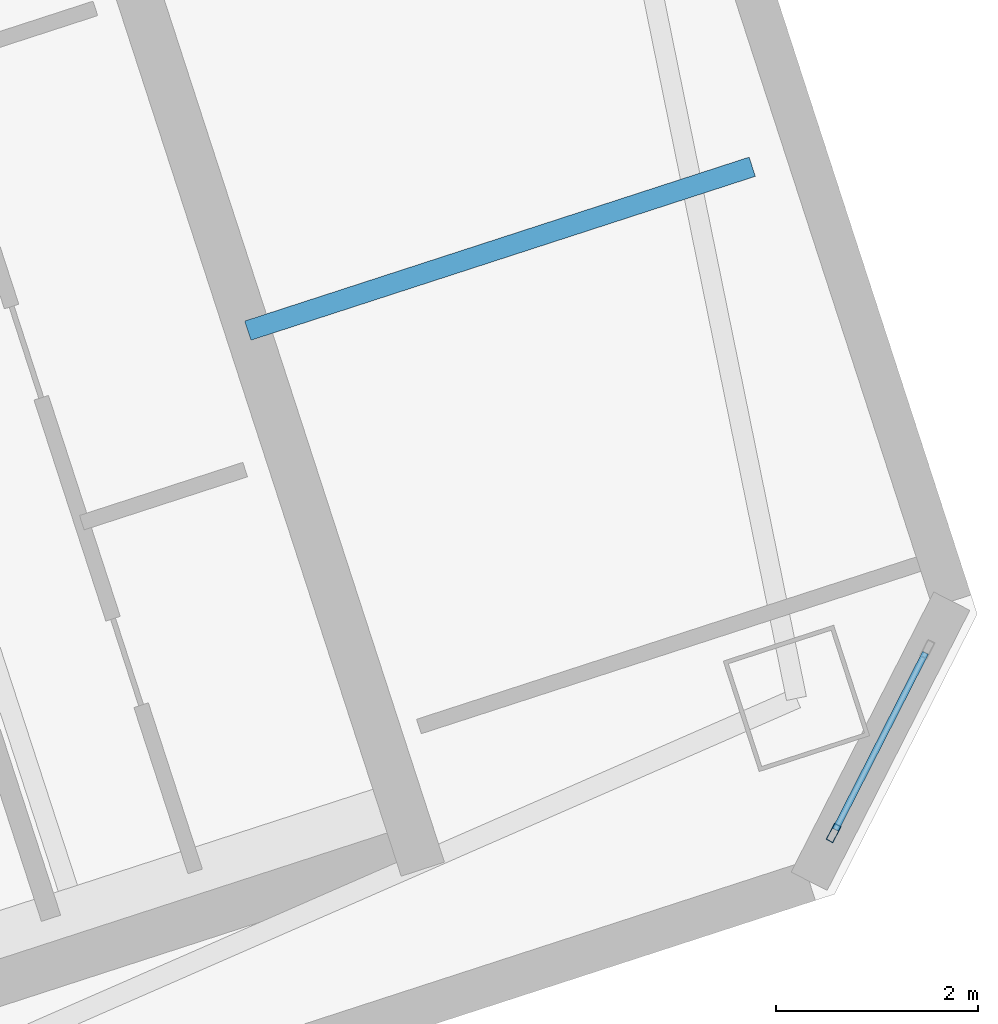
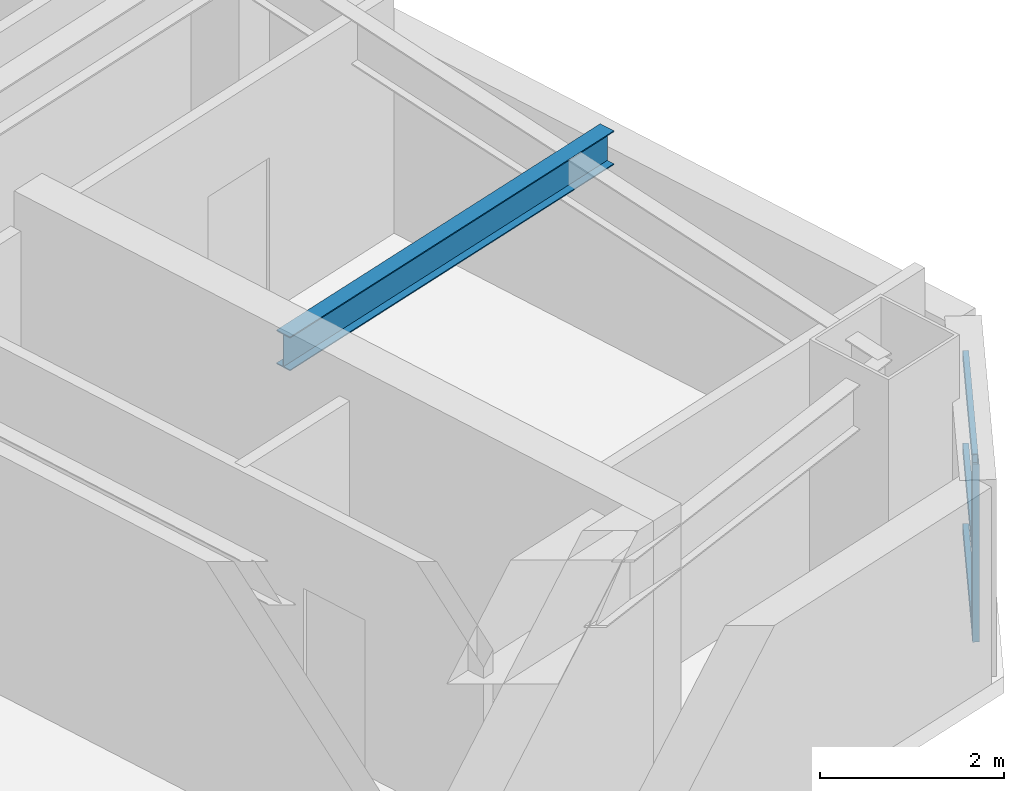
# One storey, part 12 of 25: 4 members, 1 beam, 1 element without a shape of its own.
"""IFC4 building model written with IfcOpenShell, lengths in metres."""

import ifcopenshell
import ifcopenshell.guid

model = None  # the IFC model being written
_history = None  # IfcOwnerHistory: only IFC2X3 demands one
_inside = {}  # id of a spatial element -> (the spatial element, [elements in it])
_under = {}  # id of a project, library or spatial element -> (it, [spatial elements below it])
_declared = {}  # id of a project -> (the project, [libraries it declares])
_typed = {}  # id of a type object -> (the type object, [elements of that type])
_made_of = {}  # id of a material, layer set ... -> (it, [elements and type objects made of it])


def new_model(schema):
    """Start an empty IFC model of exactly this schema.

    Asked for "IFC4X3", IfcOpenShell would pick the latest addendum, in which some entities
    have other attributes; the version numbers below select the first issue.
    IFC2X3 requires an IfcOwnerHistory on every rooted entity: one is made here for all.
    """
    global model, _history
    if schema == "IFC4X3":
        model = ifcopenshell.file(schema_version=(4, 3, 0, 0))
    else:
        model = ifcopenshell.file(schema=schema)
    _inside.clear()
    _under.clear()
    _declared.clear()
    _typed.clear()
    _made_of.clear()
    _history = None
    if model.schema == "IFC2X3":
        org = make("IfcOrganization", Name="unknown")
        user = make(
            "IfcPersonAndOrganization",
            ThePerson=make("IfcPerson", FamilyName="unknown"),
            TheOrganization=org,
        )
        app = make(
            "IfcApplication",
            ApplicationDeveloper=org,
            Version="unknown",
            ApplicationFullName="unknown",
            ApplicationIdentifier="unknown",
        )
        _history = make(
            "IfcOwnerHistory",
            OwningUser=user,
            OwningApplication=app,
            ChangeAction="ADDED",
            CreationDate=0,
        )
    return model


def make(cls, **values):
    """One entity of the class cls with the attributes given. An attribute that is None is left unset."""
    return model.create_entity(
        cls, **{name: value for name, value in values.items() if value is not None}
    )


def rooted(cls, **values):
    """An entity with a GlobalId (a new one), such as an element, a storey or a relation."""
    return make(cls, GlobalId=ifcopenshell.guid.new(), OwnerHistory=_history, **values)


def si_unit(unit_type, name, prefix=None):
    """IfcSIUnit, for example si_unit("LENGTHUNIT", "METRE", prefix="MILLI")."""
    return make("IfcSIUnit", UnitType=unit_type, Prefix=prefix, Name=name)


def assignment(units):
    """IfcUnitAssignment: the units of a project."""
    return None if units is None else make("IfcUnitAssignment", Units=units)


def point(xyz):
    """IfcCartesianPoint."""
    return None if xyz is None else make("IfcCartesianPoint", Coordinates=xyz)


def direction(xyz):
    """IfcDirection."""
    return None if xyz is None else make("IfcDirection", DirectionRatios=xyz)


def frame(location, z_axis=None, x_axis=None):
    """IfcAxis2Placement3D, a coordinate frame: its origin and axes. An axis left out is left unset."""
    return make(
        "IfcAxis2Placement3D",
        Location=point(location),
        Axis=direction(z_axis),
        RefDirection=direction(x_axis),
    )


def frame_2d(location, x_axis=None):
    """IfcAxis2Placement2D, a coordinate frame in the plane: its origin and x axis."""
    return make(
        "IfcAxis2Placement2D", Location=point(location), RefDirection=direction(x_axis)
    )


def origin():
    """The frame at (0, 0, 0) with its axes left unset."""
    return frame((0.0, 0.0, 0.0))


def origin_2d():
    """The frame at (0, 0) in the plane with its x axis left unset."""
    return frame_2d((0.0, 0.0))


def place(relative_to, where):
    """IfcLocalPlacement: puts the frame where relative to a parent placement (None: the world)."""
    return make(
        "IfcLocalPlacement", PlacementRelTo=relative_to, RelativePlacement=where
    )


def context(
    kind, dimensions, precision=None, world=None, true_north=None, identifier=None
):
    """IfcGeometricRepresentationContext, for example the 3D "Model" context."""
    return make(
        "IfcGeometricRepresentationContext",
        ContextIdentifier=identifier,
        ContextType=kind,
        CoordinateSpaceDimension=dimensions,
        Precision=precision,
        WorldCoordinateSystem=world,
        TrueNorth=true_north,
    )


def subcontext(parent, identifier, kind, view, scale=None):
    """IfcGeometricRepresentationSubContext, for example "Body" below "Model"."""
    return make(
        "IfcGeometricRepresentationSubContext",
        ContextIdentifier=identifier,
        ContextType=kind,
        ParentContext=parent,
        TargetScale=scale,
        TargetView=view,
    )


def project(units=None, contexts=None):
    """IfcProject with its units and contexts."""
    return rooted(
        "IfcProject",
        Name="project",
        RepresentationContexts=contexts,
        UnitsInContext=assignment(units),
    )


def spatial(cls, under=None, at=None, **own):
    """A site, building, storey or space (cls), placed at a placement, below another one or the project."""
    s = rooted(cls, ObjectPlacement=at, **own)
    if under is not None:
        _under.setdefault(under.id(), (under, []))[1].append(s)
    return s


def profile(cls, at=None, kind="AREA", **sizes):
    """A parametric profile (cls). Its sizes go by their IFC names, for example OverallWidth=200.0."""
    return make(cls, ProfileType=kind, Position=at, **sizes)


def hollow_rectangle(**sizes):
    """IfcRectangleHollowProfileDef."""
    return profile("IfcRectangleHollowProfileDef", **sizes)


def i_section(**sizes):
    """IfcIShapeProfileDef."""
    return profile("IfcIShapeProfileDef", **sizes)


def extrude(swept, where, along, depth):
    """IfcExtrudedAreaSolid: the profile swept, set in the frame where, extruded along a direction by depth."""
    return make(
        "IfcExtrudedAreaSolid",
        SweptArea=swept,
        Position=where,
        ExtrudedDirection=direction(along),
        Depth=depth,
    )


def shape(context_of_items, identifier, shape_type, items):
    """IfcShapeRepresentation: the items that make up one representation, for example the "Body"."""
    return make(
        "IfcShapeRepresentation",
        ContextOfItems=context_of_items,
        RepresentationIdentifier=identifier,
        RepresentationType=shape_type,
        Items=items,
    )


def material(Name=None, Category=None):
    """IfcMaterial."""
    return make("IfcMaterial", Name=Name, Category=Category)


def layer(
    of_material, thickness, ventilated=None, Name=None, Category=None, Priority=None
):
    """IfcMaterialLayer: one layer of a wall or slab, of a material (None: an air gap)."""
    return make(
        "IfcMaterialLayer",
        Material=of_material,
        LayerThickness=thickness,
        IsVentilated=ventilated,
        Name=Name,
        Category=Category,
        Priority=Priority,
    )


def layer_set(layers, Name=None):
    """IfcMaterialLayerSet."""
    return make("IfcMaterialLayerSet", MaterialLayers=layers, LayerSetName=Name)


def material_profile(
    of_material, cross_section, Name=None, Category=None, Priority=None
):
    """IfcMaterialProfile: a cross section and its material."""
    return make(
        "IfcMaterialProfile",
        Name=Name,
        Material=of_material,
        Profile=cross_section,
        Priority=Priority,
        Category=Category,
    )


def profile_set(profiles, Name=None, composite=None):
    """IfcMaterialProfileSet."""
    return make(
        "IfcMaterialProfileSet",
        Name=Name,
        MaterialProfiles=profiles,
        CompositeProfile=composite,
    )


def made_of(thing, what):
    """Note that an element or type object is made of a material, layer set ...; save() writes the relation."""
    if what is not None:
        _made_of.setdefault(what.id(), (what, []))[1].append(thing)
    return thing


def type_object(cls, material=None, **own):
    """A type object (cls), such as IfcWallType, which elements share."""
    return made_of(rooted(cls, **own), material)


def element(
    cls,
    number,
    at=None,
    inside=None,
    cuts=None,
    type_object=None,
    material=None,
    context=None,
    identifier="Body",
    shape_type=None,
    held_by="IfcProductDefinitionShape",
    body=None,
    shapes=None,
    **own,
):
    """One element of the class cls, such as IfcWall. Its Tag is "e" and its number.

    at: its placement. inside: the storey or other place that contains it. cuts: it is an
    opening in that element (IfcRelVoidsElement). A single representation is given by context,
    identifier, shape_type and body (its items); several are given by shapes. held_by: the class
    of the entity that holds the representations. save() writes the other relations.
    """
    e = rooted(cls, Tag="e%d" % number, ObjectPlacement=at, **own)
    if body is not None:
        shapes = [shape(context, identifier, shape_type, body)]
    if shapes is not None:
        e.Representation = make(held_by, Representations=shapes)
    if inside is not None:
        _inside.setdefault(inside.id(), (inside, []))[1].append(e)
    if cuts is not None:
        rooted(
            "IfcRelVoidsElement", RelatingBuildingElement=cuts, RelatedOpeningElement=e
        )
    if type_object is not None:
        _typed.setdefault(type_object.id(), (type_object, []))[1].append(e)
    return made_of(e, material)


def aggregate(whole, parts):
    """IfcRelAggregates: a whole, such as a stair, and the parts it consists of."""
    return rooted("IfcRelAggregates", RelatingObject=whole, RelatedObjects=parts)


def save(model, path):
    """Write the relations noted so far, then the file.

    IfcRelAggregates (storeys below a building ...), IfcRelContainedInSpatialStructure (elements
    in a storey), IfcRelDefinesByType, IfcRelAssociatesMaterial and IfcRelDeclares: one each for
    every whole, place, type object, material and project.
    """
    for whole, parts in _under.values():
        aggregate(whole, parts)
    for where, things in _inside.values():
        rooted(
            "IfcRelContainedInSpatialStructure",
            RelatedElements=things,
            RelatingStructure=where,
        )
    for kind, things in _typed.values():
        rooted("IfcRelDefinesByType", RelatedObjects=things, RelatingType=kind)
    for what, things in _made_of.values():
        rooted("IfcRelAssociatesMaterial", RelatedObjects=things, RelatingMaterial=what)
    for by, libraries in _declared.values():
        rooted("IfcRelDeclares", RelatingContext=by, RelatedDefinitions=libraries)
    model.write(path)


model = new_model("IFC4")

# Units and contexts
model_context = context("Model", 3, precision=1e-05, world=origin(), true_north=direction((0.0, 1.0)))
body_context = subcontext(model_context, "Body", "Model", "MODEL_VIEW")
ifc_project = project(units=[si_unit("LENGTHUNIT", "METRE"), si_unit("AREAUNIT", "SQUARE_METRE"), si_unit("VOLUMEUNIT", "CUBIC_METRE"), si_unit("PLANEANGLEUNIT", "RADIAN"), si_unit("MASSUNIT", "GRAM", prefix="KILO")], contexts=[model_context])

# Site, building, storey
site_placement = place(None, origin())
site = spatial("IfcSite", under=ifc_project, at=site_placement, CompositionType="ELEMENT")
building_placement = place(site_placement, origin())
building = spatial("IfcBuilding", under=site, at=building_placement, Name="Qiaolan Cultural Towers", CompositionType="ELEMENT")
storey_placement = place(building_placement, frame((0.0, 0.0, 202.39990234375)))
storey = spatial("IfcBuildingStorey", under=building, at=storey_placement, Name="L54", CompositionType="ELEMENT", Elevation=202.39990234375)

# Beam
ifc_material_1 = material(Name="Steel Q355B", Category="steel")
ifc_material_profile_1 = material_profile(ifc_material_1, i_section(OverallWidth=0.199951171875, OverallDepth=0.449951171875, WebThickness=0.009033203125, FlangeThickness=0.013916015625, at=origin_2d()), Name="HN450x200x9x14")
ifc_profile_set_1 = profile_set([ifc_material_profile_1], Name="Steel Q355B")
beam_type = type_object("IfcBeamType", Name="BM-LNT-HN450x200x9x14", PredefinedType="LINTEL", material=ifc_profile_set_1)
beam_placement = place(storey_placement, frame((102.279296875, 22.74365234375, 2.965087890625), z_axis=(0.951060037126, 0.309006158161, 0.0), x_axis=(-0.309006158161, 0.951060037126, 0.0)))
element("IfcBeam", 1, at=beam_placement, inside=storey, type_object=beam_type, Name="L54 T2 Core Flank Tie Lintel ES", PredefinedType="LINTEL", context=body_context, shape_type="SweptSolid", body=[
    extrude(i_section(OverallWidth=0.199951171875, OverallDepth=0.449951171875, WebThickness=0.009033203125, FlangeThickness=0.013916015625, at=origin_2d()), origin(), (0.0, 0.0, 1.0), 5.25),
])

# Curtain wall, members
ifc_material_2 = material(Name="Unitized Anodized Aluminium Curtain Wall System", Category="aluminium")
ifc_layer = layer(ifc_material_2, 0.199951171875)
ifc_layer_set = layer_set([ifc_layer], Name="Unitized Anodized Aluminium Curtain Wall System")
curtain_wall_type = type_object("IfcCurtainWallType", Name="CWS-05", PredefinedType="NOTDEFINED", material=ifc_layer_set)
curtain_wall_placement = place(storey_placement, origin())
curtain_wall = element("IfcCurtainWall", 2, at=curtain_wall_placement, inside=storey, type_object=curtain_wall_type, Name="L54 T2 Chamfer Wind-Corner Feature Curtain Wall 2", PredefinedType="NOTDEFINED")
ifc_material_3 = material(Name="Extruded Aluminium 6063-T6", Category="aluminium")
ifc_material_profile_2 = material_profile(ifc_material_3, hollow_rectangle(XDim=0.074951171875, YDim=0.179931640625, WallThickness=0.00390625, at=origin_2d()), Name="CWM-180x75x4")
ifc_profile_set_2 = profile_set([ifc_material_profile_2], Name="Extruded Aluminium 6063-T6")
member_type_1 = type_object("IfcMemberType", Name="CWS-05-MUL", PredefinedType="MULLION", material=ifc_profile_set_2)
member_1_placement = place(storey_placement, frame((108.078369140625, 17.770751953125, 0.150146484375), z_axis=(0.0, 0.0, 1.0), x_axis=(0.89100655078, -0.45399044755, 0.0)))
member_1 = element("IfcMember", 3, at=member_1_placement, type_object=member_type_1, Name="CW-5 mullion 2", PredefinedType="MULLION", context=body_context, shape_type="SweptSolid", body=[
    extrude(hollow_rectangle(XDim=0.074951171875, YDim=0.179931640625, WallThickness=0.00390625, at=origin_2d()), origin(), (0.0, 0.0, 1.0), 2.35986328125),
])
ifc_material_4 = material(Name="Extruded Aluminium 6063-T6", Category="aluminium")
ifc_material_profile_3 = material_profile(ifc_material_4, hollow_rectangle(XDim=0.06494140625, YDim=0.14990234375, WallThickness=0.00390625, at=origin_2d()), Name="CWT-150x65x4")
ifc_profile_set_3 = profile_set([ifc_material_profile_3], Name="Extruded Aluminium 6063-T6")
member_type_2 = type_object("IfcMemberType", Name="CWS-05-TRN", PredefinedType="USERDEFINED", material=ifc_profile_set_3)
member_2_placement = place(storey_placement, frame((108.98779296875, 19.5556640625, 0.1826171875), z_axis=(-0.453957410805, -0.891023383069, 0.0), x_axis=(0.891023383069, -0.453957410805, 0.0)))
member_2 = element("IfcMember", 4, at=member_2_placement, type_object=member_type_2, Name="CW-5 transom 1.1", ObjectType="TRANSOM", PredefinedType="USERDEFINED", context=body_context, shape_type="SweptSolid", body=[
    extrude(hollow_rectangle(XDim=0.06494140625, YDim=0.14990234375, WallThickness=0.00390625, at=origin_2d()), origin(), (0.0, 0.0, 1.0), 1.965576171875),
])
member_3_placement = place(storey_placement, frame((108.98779296875, 19.5556640625, 1.25), z_axis=(-0.453957410805, -0.891023383069, 0.0), x_axis=(0.891023383069, -0.453957410805, 0.0)))
member_3 = element("IfcMember", 5, at=member_3_placement, type_object=member_type_2, Name="CW-5 transom 1.2", ObjectType="TRANSOM", PredefinedType="USERDEFINED", context=body_context, shape_type="SweptSolid", body=[
    extrude(hollow_rectangle(XDim=0.06494140625, YDim=0.14990234375, WallThickness=0.00390625, at=origin_2d()), origin(), (0.0, 0.0, 1.0), 1.965576171875),
])
member_4_placement = place(storey_placement, frame((108.98779296875, 19.5556640625, 2.4775390625), z_axis=(-0.453957410805, -0.891023383069, 0.0), x_axis=(0.891023383069, -0.453957410805, 0.0)))
member_4 = element("IfcMember", 6, at=member_4_placement, type_object=member_type_2, Name="CW-5 transom 1.3", ObjectType="TRANSOM", PredefinedType="USERDEFINED", context=body_context, shape_type="SweptSolid", body=[
    extrude(hollow_rectangle(XDim=0.06494140625, YDim=0.14990234375, WallThickness=0.00390625, at=origin_2d()), origin(), (0.0, 0.0, 1.0), 1.965576171875),
])
aggregate(curtain_wall, [member_1, member_2, member_3, member_4])

save(model, "model.ifc")
